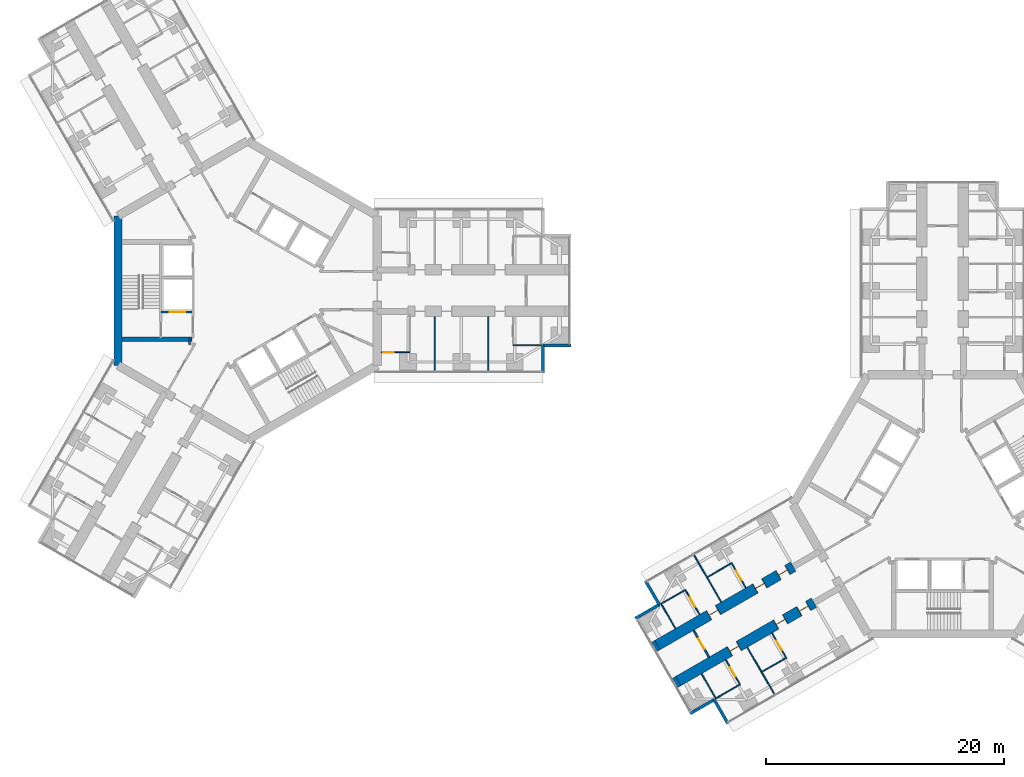
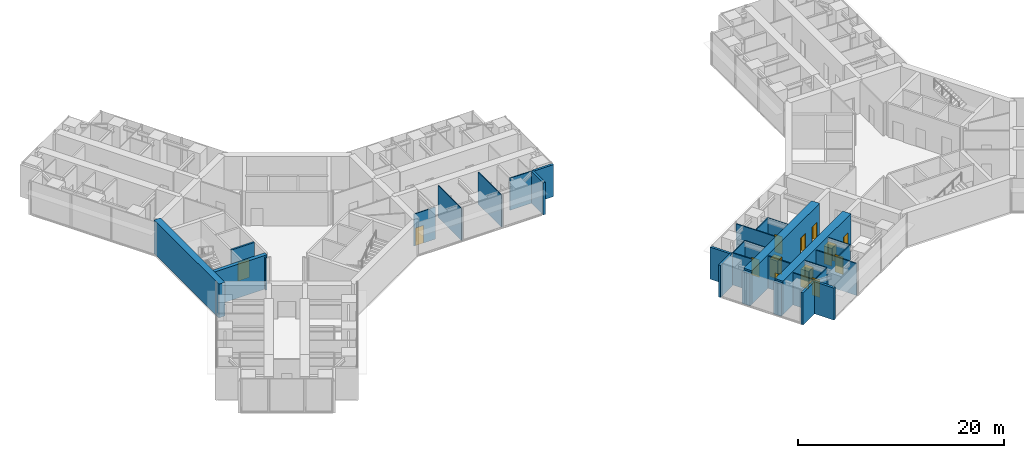
# One storey, part 17 of 25: 31 walls, 13 doors, 13 openings.
"""IFC4 building model written with IfcOpenShell, lengths in metres."""

from ifc_helpers import new_model, si_unit, direction, frame, frame_2d, origin, place, context, subcontext, project, spatial, rectangle, extrude, material, layer, layer_set, type_object, element, fill, save


model = new_model("IFC4")

# Units and contexts
model_context = context("Model", 3, precision=1e-05, world=origin(), true_north=direction((0.0, 1.0)))
body_context = subcontext(model_context, "Body", "Model", "MODEL_VIEW")
ifc_project = project(units=[si_unit("LENGTHUNIT", "METRE"), si_unit("AREAUNIT", "SQUARE_METRE"), si_unit("VOLUMEUNIT", "CUBIC_METRE"), si_unit("PLANEANGLEUNIT", "RADIAN"), si_unit("MASSUNIT", "GRAM", prefix="KILO")], contexts=[model_context])

# Site, building, storey
site_placement = place(None, origin())
site = spatial("IfcSite", under=ifc_project, at=site_placement, CompositionType="ELEMENT")
building_placement = place(site_placement, origin())
building = spatial("IfcBuilding", under=site, at=building_placement, Name="Upepo Twin Towers", CompositionType="ELEMENT")
storey_placement = place(building_placement, frame((0.0, 0.0, 80.5)))
storey = spatial("IfcBuildingStorey", under=building, at=storey_placement, Name="L19", CompositionType="ELEMENT", Elevation=80.5)

# Walls
ifc_material_1 = material(Name="Dense concrete blockwork", Category="masonry")
ifc_layer_1 = layer(ifc_material_1, 0.89990234375)
ifc_layer_set_1 = layer_set([ifc_layer_1], Name="Buttress closer 900, blockwork with fire-stopping to the curtain wall")
wall_type_1 = type_object("IfcWallType", Name="Buttress closer 900, blockwork with fire-stopping to the curtain wall", PredefinedType="PARTITIONING", material=ifc_layer_set_1)
for number, where, z_axis, x_axis, name in (
    (1, (36.252197265625, -32.865478515625, 0.0), (0.0, 0.0, 1.0), (-0.866054481515, -0.499949632511, 0.0), "T2 L19 wing B buttress closer L"),
    (2, (34.502197265625, -29.83447265625, 0.0), (0.0, 0.0, 1.0), (-0.866054481515, -0.499949632511, 0.0), "T2 L19 wing B buttress closer R"),
):
    element("IfcWall", number, at=place(storey_placement, frame(where, z_axis=z_axis, x_axis=x_axis)), inside=storey, type_object=wall_type_1, Name=name, PredefinedType="PARTITIONING", context=body_context, shape_type="SweptSolid", body=[
        extrude(rectangle(XDim=0.31005859375, YDim=0.89990234375, at=frame_2d((0.155029296875, 0.0))), origin(), (0.0, 0.0, 1.0), 3.800048828125),
    ])

# Wall, openings, doors
ifc_material_2 = material(Name="Concrete C60/75", Category="concrete")
ifc_layer_2 = layer(ifc_material_2, 0.89990234375)
ifc_layer_set_2 = layer_set([ifc_layer_2], Name="Concrete C60/75")
wall_type_2 = type_object("IfcWallType", Name="Buttress wall 900 RC", PredefinedType="SHEAR", material=ifc_layer_set_2)
wall_1_placement = place(storey_placement, frame((47.68359375, -26.265625, 0.0), z_axis=(0.0, 0.0, 1.0), x_axis=(-0.866027579429, -0.499996231654, 0.0)))
wall_1 = element("IfcWall", 3, at=wall_1_placement, inside=storey, type_object=wall_type_2, Name="T2 wing B buttress wall L part 2", PredefinedType="SHEAR", context=body_context, shape_type="SweptSolid", body=[
    extrude(rectangle(XDim=13.19970703125, YDim=0.89990234375, at=frame_2d((6.599853515625, 0.0))), origin(), (0.0, 0.0, 1.0), 4.0),
])
opening_1_placement = place(wall_1_placement, frame((0.550048828125, 0.0, 0.0)))
opening_1 = element("IfcOpeningElement", 4, at=opening_1_placement, cuts=wall_1, Name="Opening D14", PredefinedType="OPENING", context=body_context, shape_type="SweptSolid", body=[
    extrude(rectangle(XDim=0.89990234375, YDim=2.10009765625, at=frame_2d((0.449951171875, 1.050048828125))), frame((0.0, 0.4599609375, 0.0), z_axis=(0.0, -1.0, 0.0), x_axis=(1.0, 0.0, 0.0)), (0.0, 0.0, 1.0), 0.919921875),
])
opening_2_placement = place(wall_1_placement, frame((2.800048828125, 0.0, 0.0)))
opening_2 = element("IfcOpeningElement", 5, at=opening_2_placement, cuts=wall_1, Name="Opening D14", PredefinedType="OPENING", context=body_context, shape_type="SweptSolid", body=[
    extrude(rectangle(XDim=0.89990234375, YDim=2.10009765625, at=frame_2d((0.449951171875, 1.050048828125))), frame((0.0, 0.4599609375, 0.0), z_axis=(0.0, -1.0, 0.0), x_axis=(1.0, 0.0, 0.0)), (0.0, 0.0, 1.0), 0.919921875),
])
opening_3_placement = place(wall_1_placement, frame((7.300048828125, 0.0, 0.0)))
opening_3 = element("IfcOpeningElement", 6, at=opening_3_placement, cuts=wall_1, Name="Opening D14", PredefinedType="OPENING", context=body_context, shape_type="SweptSolid", body=[
    extrude(rectangle(XDim=0.89990234375, YDim=2.10009765625, at=frame_2d((0.449951171875, 1.050048828125))), frame((0.0, 0.4599609375, 0.0), z_axis=(0.0, -1.0, 0.0), x_axis=(1.0, 0.0, 0.0)), (0.0, 0.0, 1.0), 0.919921875),
])
ifc_material_3 = material(Name="Timber doorset", Category="wood")
door_type_1 = type_object("IfcDoorType", Name="Office door 900 FD30", OperationType="SINGLE_SWING_LEFT", PredefinedType="DOOR", material=ifc_material_3)
door_1_placement = place(opening_1_placement, origin())
door_1 = element("IfcDoor", 7, at=door_1_placement, inside=storey, type_object=door_type_1, Name="T2 L19 open-plan staff office door", OperationType="SINGLE_SWING_LEFT", OverallHeight=2.10009765625, OverallWidth=0.89990234375, PredefinedType="DOOR", context=body_context, shape_type="SweptSolid", body=[
    extrude(rectangle(XDim=0.81990234375, YDim=2.06009765625, at=frame_2d((0.449951171875, 1.030029296875))), frame((0.0, 0.02490234375, 0.0), z_axis=(0.0, -1.0, 0.0), x_axis=(1.0, 0.0, 0.0)), (0.0, 0.0, 1.0), 0.050048828125),
    extrude(rectangle(XDim=0.04, YDim=2.10009765625, at=frame_2d((0.02001953125, 1.050048828125))), frame((0.0, 0.44970703125, 0.0), z_axis=(0.0, -1.0, 0.0), x_axis=(1.0, 0.0, 0.0)), (0.0, 0.0, 1.0), 0.8994140625),
    extrude(rectangle(XDim=0.04, YDim=2.10009765625, at=frame_2d((0.8798828125, 1.050048828125))), frame((0.0, 0.44970703125, 0.0), z_axis=(0.0, -1.0, 0.0), x_axis=(1.0, 0.0, 0.0)), (0.0, 0.0, 1.0), 0.8994140625),
    extrude(rectangle(XDim=0.81990234375, YDim=0.04, at=frame_2d((0.449951171875, 2.080078125))), frame((0.0, 0.44970703125, 0.0), z_axis=(0.0, -1.0, 0.0), x_axis=(1.0, 0.0, 0.0)), (0.0, 0.0, 1.0), 0.8994140625),
])
fill(opening_1, door_1)
door_2_placement = place(opening_2_placement, origin())
door_2 = element("IfcDoor", 8, at=door_2_placement, inside=storey, type_object=door_type_1, Name="T2 L19 open-plan staff office door", OperationType="SINGLE_SWING_LEFT", OverallHeight=2.10009765625, OverallWidth=0.89990234375, PredefinedType="DOOR", context=body_context, shape_type="SweptSolid", body=[
    extrude(rectangle(XDim=0.81990234375, YDim=2.06009765625, at=frame_2d((0.449951171875, 1.030029296875))), frame((0.0, 0.02490234375, 0.0), z_axis=(0.0, -1.0, 0.0), x_axis=(1.0, 0.0, 0.0)), (0.0, 0.0, 1.0), 0.050048828125),
    extrude(rectangle(XDim=0.04, YDim=2.10009765625, at=frame_2d((0.02001953125, 1.050048828125))), frame((0.0, 0.44970703125, 0.0), z_axis=(0.0, -1.0, 0.0), x_axis=(1.0, 0.0, 0.0)), (0.0, 0.0, 1.0), 0.8994140625),
    extrude(rectangle(XDim=0.04, YDim=2.10009765625, at=frame_2d((0.8798828125, 1.050048828125))), frame((0.0, 0.44970703125, 0.0), z_axis=(0.0, -1.0, 0.0), x_axis=(1.0, 0.0, 0.0)), (0.0, 0.0, 1.0), 0.8994140625),
    extrude(rectangle(XDim=0.81990234375, YDim=0.04, at=frame_2d((0.449951171875, 2.080078125))), frame((0.0, 0.44970703125, 0.0), z_axis=(0.0, -1.0, 0.0), x_axis=(1.0, 0.0, 0.0)), (0.0, 0.0, 1.0), 0.8994140625),
])
fill(opening_2, door_2)
door_3_placement = place(opening_3_placement, origin())
door_3 = element("IfcDoor", 9, at=door_3_placement, inside=storey, type_object=door_type_1, Name="T2 L19 staff office door", OperationType="SINGLE_SWING_RIGHT", OverallHeight=2.10009765625, OverallWidth=0.89990234375, PredefinedType="DOOR", context=body_context, shape_type="SweptSolid", body=[
    extrude(rectangle(XDim=0.81990234375, YDim=2.06009765625, at=frame_2d((0.449951171875, 1.030029296875))), frame((0.0, 0.02490234375, 0.0), z_axis=(0.0, -1.0, 0.0), x_axis=(1.0, 0.0, 0.0)), (0.0, 0.0, 1.0), 0.050048828125),
    extrude(rectangle(XDim=0.04, YDim=2.10009765625, at=frame_2d((0.02001953125, 1.050048828125))), frame((0.0, 0.44970703125, 0.0), z_axis=(0.0, -1.0, 0.0), x_axis=(1.0, 0.0, 0.0)), (0.0, 0.0, 1.0), 0.8994140625),
    extrude(rectangle(XDim=0.04, YDim=2.10009765625, at=frame_2d((0.8798828125, 1.050048828125))), frame((0.0, 0.44970703125, 0.0), z_axis=(0.0, -1.0, 0.0), x_axis=(1.0, 0.0, 0.0)), (0.0, 0.0, 1.0), 0.8994140625),
    extrude(rectangle(XDim=0.81990234375, YDim=0.04, at=frame_2d((0.449951171875, 2.080078125))), frame((0.0, 0.44970703125, 0.0), z_axis=(0.0, -1.0, 0.0), x_axis=(1.0, 0.0, 0.0)), (0.0, 0.0, 1.0), 0.8994140625),
])
fill(opening_3, door_3)

wall_2_placement = place(storey_placement, frame((45.93359375, -23.234375, 0.0), z_axis=(0.0, 0.0, 1.0), x_axis=(-0.866019570528, -0.500010103361, 0.0)))
wall_2 = element("IfcWall", 10, at=wall_2_placement, inside=storey, type_object=wall_type_2, Name="T2 wing B buttress wall R part 2", PredefinedType="SHEAR", context=body_context, shape_type="SweptSolid", body=[
    extrude(rectangle(XDim=13.199951171875, YDim=0.89990234375, at=frame_2d((6.60009765625, 0.0))), origin(), (0.0, 0.0, 1.0), 4.0),
])
opening_4_placement = place(wall_2_placement, frame((0.550048828125, 0.0, 0.0)))
opening_4 = element("IfcOpeningElement", 11, at=opening_4_placement, cuts=wall_2, Name="Opening D14", PredefinedType="OPENING", context=body_context, shape_type="SweptSolid", body=[
    extrude(rectangle(XDim=0.89990234375, YDim=2.10009765625, at=frame_2d((0.449951171875, 1.050048828125))), frame((0.0, 0.4599609375, 0.0), z_axis=(0.0, -1.0, 0.0), x_axis=(1.0, 0.0, 0.0)), (0.0, 0.0, 1.0), 0.919921875),
])
opening_5_placement = place(wall_2_placement, frame((2.800048828125, 0.0, 0.0)))
opening_5 = element("IfcOpeningElement", 12, at=opening_5_placement, cuts=wall_2, Name="Opening D14", PredefinedType="OPENING", context=body_context, shape_type="SweptSolid", body=[
    extrude(rectangle(XDim=0.89990234375, YDim=2.10009765625, at=frame_2d((0.449951171875, 1.050048828125))), frame((0.0, 0.4599609375, 0.0), z_axis=(0.0, -1.0, 0.0), x_axis=(1.0, 0.0, 0.0)), (0.0, 0.0, 1.0), 0.919921875),
])
opening_6_placement = place(wall_2_placement, frame((7.300048828125, 0.0, 0.0)))
opening_6 = element("IfcOpeningElement", 13, at=opening_6_placement, cuts=wall_2, Name="Opening D14", PredefinedType="OPENING", context=body_context, shape_type="SweptSolid", body=[
    extrude(rectangle(XDim=0.89990234375, YDim=2.10009765625, at=frame_2d((0.449951171875, 1.050048828125))), frame((0.0, 0.4599609375, 0.0), z_axis=(0.0, -1.0, 0.0), x_axis=(1.0, 0.0, 0.0)), (0.0, 0.0, 1.0), 0.919921875),
])
door_4_placement = place(opening_4_placement, origin())
door_4 = element("IfcDoor", 14, at=door_4_placement, inside=storey, type_object=door_type_1, Name="T2 L19 open-plan staff office door", OperationType="SINGLE_SWING_LEFT", OverallHeight=2.10009765625, OverallWidth=0.89990234375, PredefinedType="DOOR", context=body_context, shape_type="SweptSolid", body=[
    extrude(rectangle(XDim=0.81990234375, YDim=2.06009765625, at=frame_2d((0.449951171875, 1.030029296875))), frame((0.0, 0.02490234375, 0.0), z_axis=(0.0, -1.0, 0.0), x_axis=(1.0, 0.0, 0.0)), (0.0, 0.0, 1.0), 0.050048828125),
    extrude(rectangle(XDim=0.04, YDim=2.10009765625, at=frame_2d((0.02001953125, 1.050048828125))), frame((0.0, 0.44970703125, 0.0), z_axis=(0.0, -1.0, 0.0), x_axis=(1.0, 0.0, 0.0)), (0.0, 0.0, 1.0), 0.8994140625),
    extrude(rectangle(XDim=0.04, YDim=2.10009765625, at=frame_2d((0.8798828125, 1.050048828125))), frame((0.0, 0.44970703125, 0.0), z_axis=(0.0, -1.0, 0.0), x_axis=(1.0, 0.0, 0.0)), (0.0, 0.0, 1.0), 0.8994140625),
    extrude(rectangle(XDim=0.81990234375, YDim=0.04, at=frame_2d((0.449951171875, 2.080078125))), frame((0.0, 0.44970703125, 0.0), z_axis=(0.0, -1.0, 0.0), x_axis=(1.0, 0.0, 0.0)), (0.0, 0.0, 1.0), 0.8994140625),
])
fill(opening_4, door_4)
door_5_placement = place(opening_5_placement, origin())
door_5 = element("IfcDoor", 15, at=door_5_placement, inside=storey, type_object=door_type_1, Name="T2 L19 open-plan staff office door", OperationType="SINGLE_SWING_LEFT", OverallHeight=2.10009765625, OverallWidth=0.89990234375, PredefinedType="DOOR", context=body_context, shape_type="SweptSolid", body=[
    extrude(rectangle(XDim=0.81990234375, YDim=2.06009765625, at=frame_2d((0.449951171875, 1.030029296875))), frame((0.0, 0.02490234375, 0.0), z_axis=(0.0, -1.0, 0.0), x_axis=(1.0, 0.0, 0.0)), (0.0, 0.0, 1.0), 0.050048828125),
    extrude(rectangle(XDim=0.04, YDim=2.10009765625, at=frame_2d((0.02001953125, 1.050048828125))), frame((0.0, 0.44970703125, 0.0), z_axis=(0.0, -1.0, 0.0), x_axis=(1.0, 0.0, 0.0)), (0.0, 0.0, 1.0), 0.8994140625),
    extrude(rectangle(XDim=0.04, YDim=2.10009765625, at=frame_2d((0.8798828125, 1.050048828125))), frame((0.0, 0.44970703125, 0.0), z_axis=(0.0, -1.0, 0.0), x_axis=(1.0, 0.0, 0.0)), (0.0, 0.0, 1.0), 0.8994140625),
    extrude(rectangle(XDim=0.81990234375, YDim=0.04, at=frame_2d((0.449951171875, 2.080078125))), frame((0.0, 0.44970703125, 0.0), z_axis=(0.0, -1.0, 0.0), x_axis=(1.0, 0.0, 0.0)), (0.0, 0.0, 1.0), 0.8994140625),
])
fill(opening_5, door_5)
door_6_placement = place(opening_6_placement, origin())
door_6 = element("IfcDoor", 16, at=door_6_placement, inside=storey, type_object=door_type_1, Name="T2 L19 meeting room door", OperationType="SINGLE_SWING_RIGHT", OverallHeight=2.10009765625, OverallWidth=0.89990234375, PredefinedType="DOOR", context=body_context, shape_type="SweptSolid", body=[
    extrude(rectangle(XDim=0.81990234375, YDim=2.06009765625, at=frame_2d((0.449951171875, 1.030029296875))), frame((0.0, 0.02490234375, 0.0), z_axis=(0.0, -1.0, 0.0), x_axis=(1.0, 0.0, 0.0)), (0.0, 0.0, 1.0), 0.050048828125),
    extrude(rectangle(XDim=0.04, YDim=2.10009765625, at=frame_2d((0.02001953125, 1.050048828125))), frame((0.0, 0.44970703125, 0.0), z_axis=(0.0, -1.0, 0.0), x_axis=(1.0, 0.0, 0.0)), (0.0, 0.0, 1.0), 0.8994140625),
    extrude(rectangle(XDim=0.04, YDim=2.10009765625, at=frame_2d((0.8798828125, 1.050048828125))), frame((0.0, 0.44970703125, 0.0), z_axis=(0.0, -1.0, 0.0), x_axis=(1.0, 0.0, 0.0)), (0.0, 0.0, 1.0), 0.8994140625),
    extrude(rectangle(XDim=0.81990234375, YDim=0.04, at=frame_2d((0.449951171875, 2.080078125))), frame((0.0, 0.44970703125, 0.0), z_axis=(0.0, -1.0, 0.0), x_axis=(1.0, 0.0, 0.0)), (0.0, 0.0, 1.0), 0.8994140625),
])
fill(opening_6, door_6)

# Walls
ifc_material_4 = material(Name="Concrete C60/75", Category="concrete")
ifc_layer_3 = layer(ifc_material_4, 0.699951171875)
ifc_layer_set_3 = layer_set([ifc_layer_3], Name="Concrete C60/75")
wall_type_3 = type_object("IfcWallType", Name="Core wall 700 RC", PredefinedType="SHEAR", material=ifc_layer_set_3)
wall_3_placement = place(storey_placement, frame((-10.908447265625, 6.2978515625, 0.0), z_axis=(0.0, 0.0, 1.0), x_axis=(0.0, -1.0, 0.0)))
element("IfcWall", 17, at=wall_3_placement, inside=storey, type_object=wall_type_3, Name="T1 core wall 180", PredefinedType="SHEAR", context=body_context, shape_type="SweptSolid", body=[
    extrude(rectangle(XDim=12.595703125, YDim=0.699951171875, at=frame_2d((6.2978515625, 0.0))), origin(), (0.0, 0.0, 1.0), 4.0),
])
ifc_material_5 = material(Name="Blockwork with anodised aluminium cladding", Category="masonry")
ifc_layer_4 = layer(ifc_material_5, 0.25)
ifc_layer_set_4 = layer_set([ifc_layer_4], Name="Notch cladding wall 250, pale metal")
wall_type_4 = type_object("IfcWallType", Name="Notch cladding wall 250, pale metal", PredefinedType="STANDARD", material=ifc_layer_set_4)
for number, where, z_axis, x_axis, name in (
    (18, (24.875, -6.949951171875, 0.0), (0.0, 0.0, 1.0), (0.0, 1.0, 0.0), "T1 L19 wing A notch wall R1"),
    (19, (24.875, -4.625, 0.0), (0.0, 0.0, 1.0), (1.0, 0.0, 0.0), "T1 L19 wing A notch wall R2"),
    (20, (40.4326171875, -36.456298828125, 0.0), (0.0, 0.0, 1.0), (-0.500046648681, 0.865998469481, 0.0), "T2 L19 wing B notch wall L1"),
    (21, (39.27001953125, -34.44287109375, 0.0), (0.0, 0.0, 1.0), (-0.865998469481, -0.500046648681, 0.0), "T2 L19 wing B notch wall L2"),
    (22, (33.482666015625, -24.418701171875, 0.0), (0.0, 0.0, 1.0), (0.499967891604, -0.866043940782, 0.0), "T2 L19 wing B notch wall R1"),
    (23, (34.64501953125, -26.43212890625, 0.0), (0.0, 0.0, 1.0), (-0.865998469481, -0.500046648681, 0.0), "T2 L19 wing B notch wall R2"),
):
    element("IfcWall", number, at=place(storey_placement, frame(where, z_axis=z_axis, x_axis=x_axis)), inside=storey, type_object=wall_type_4, Name=name, PredefinedType="STANDARD", context=body_context, shape_type="SweptSolid", body=[
        extrude(rectangle(XDim=2.324951171875, YDim=0.25, at=frame_2d((1.16259765625, 0.0))), origin(), (0.0, 0.0, 1.0), 3.800048828125),
    ])
ifc_material_6 = material(Name="Gypsum board on steel studs", Category="steel")
ifc_layer_5 = layer(ifc_material_6, 0.10009765625)
ifc_layer_set_5 = layer_set([ifc_layer_5], Name="Office partition 100 stud")
wall_type_5 = type_object("IfcWallType", Name="Office partition 100 stud", PredefinedType="PARTITIONING", material=ifc_layer_set_5)
for number, where, z_axis, x_axis, name in (
    (24, (15.75, -2.199951171875, 0.0), (0.0, 0.0, 1.0), (0.0, -1.0, 0.0), "T1 partition AR at 15.75"),
    (25, (20.25, -2.199951171875, 0.0), (0.0, 0.0, 1.0), (0.0, -1.0, 0.0), "T1 partition AR at 20.25"),
):
    element("IfcWall", number, at=place(storey_placement, frame(where, z_axis=z_axis, x_axis=x_axis)), inside=storey, type_object=wall_type_5, Name=name, PredefinedType="PARTITIONING", context=body_context, shape_type="SweptSolid", body=[
        extrude(rectangle(XDim=4.550048828125, YDim=0.10009765625, at=frame_2d((2.27490234375, 0.0))), origin(), (0.0, 0.0, 1.0), 3.800048828125),
    ])
wall_4_placement = place(storey_placement, frame((22.35009765625, -4.60009765625, 0.0), z_axis=(0.0, 0.0, 1.0), x_axis=(1.0, 0.0, 0.0)))
element("IfcWall", 26, at=wall_4_placement, inside=storey, type_object=wall_type_5, Name="T1 inner room partition AR at 22.35", PredefinedType="PARTITIONING", context=body_context, shape_type="SweptSolid", body=[
    extrude(rectangle(XDim=2.39990234375, YDim=0.10009765625, at=frame_2d((1.199951171875, 0.0))), origin(), (0.0, 0.0, 1.0), 3.800048828125),
])

# Wall, opening, door
wall_5_placement = place(storey_placement, frame((11.258056640625, -5.199951171875, 0.0), z_axis=(0.0, 0.0, 1.0), x_axis=(1.0, 0.0, 0.0)))
wall_5 = element("IfcWall", 27, at=wall_5_placement, inside=storey, type_object=wall_type_5, Name="T1 WC bay partition AR at 11.26", PredefinedType="PARTITIONING", context=body_context, shape_type="SweptSolid", body=[
    extrude(rectangle(XDim=2.39990234375, YDim=0.10009765625, at=frame_2d((1.199951171875, 0.0))), origin(), (0.0, 0.0, 1.0), 3.800048828125),
])
opening_7_placement = place(wall_5_placement, frame((0.14990234375, 0.0, 0.0)))
opening_7 = element("IfcOpeningElement", 28, at=opening_7_placement, cuts=wall_5, Name="Opening D14", PredefinedType="OPENING", context=body_context, shape_type="SweptSolid", body=[
    extrude(rectangle(XDim=0.89990234375, YDim=2.10009765625, at=frame_2d((0.449951171875, 1.050048828125))), frame((0.0, 0.06005859375, 0.0), z_axis=(0.0, -1.0, 0.0), x_axis=(1.0, 0.0, 0.0)), (0.0, 0.0, 1.0), 0.1201171875),
])
door_7_placement = place(opening_7_placement, origin())
door_7 = element("IfcDoor", 29, at=door_7_placement, inside=storey, type_object=door_type_1, Name="T1 L19 WC bay inner room door", OperationType="SINGLE_SWING_LEFT", OverallHeight=2.10009765625, OverallWidth=0.89990234375, PredefinedType="DOOR", context=body_context, shape_type="SweptSolid", body=[
    extrude(rectangle(XDim=0.89990234375, YDim=2.10009765625, at=frame_2d((0.449951171875, 1.050048828125))), frame((0.0, 0.02490234375, 0.0), z_axis=(0.0, -1.0, 0.0), x_axis=(1.0, 0.0, 0.0)), (0.0, 0.0, 1.0), 0.050048828125),
])
fill(opening_7, door_7)

# Walls
wall_6_placement = place(storey_placement, frame((42.06298828125, -30.0302734375, 0.0), z_axis=(0.0, 0.0, 1.0), x_axis=(0.499982560684, -0.866035472144, 0.0)))
element("IfcWall", 30, at=wall_6_placement, inside=storey, type_object=wall_type_5, Name="T2 partition BL at 20.25", PredefinedType="PARTITIONING", context=body_context, shape_type="SweptSolid", body=[
    extrude(rectangle(XDim=4.550048828125, YDim=0.10009765625, at=frame_2d((2.27490234375, 0.0))), origin(), (0.0, 0.0, 1.0), 3.800048828125),
])
wall_7_placement = place(storey_placement, frame((45.341552734375, -30.90869140625, 0.0), z_axis=(0.0, 0.0, 1.0), x_axis=(-0.866050077142, -0.499957262057, 0.0)))
element("IfcWall", 31, at=wall_7_placement, inside=storey, type_object=wall_type_5, Name="T2 inner room partition BL at 17.85", PredefinedType="PARTITIONING", context=body_context, shape_type="SweptSolid", body=[
    extrude(rectangle(XDim=2.400146484375, YDim=0.10009765625, at=frame_2d((1.2001953125, 0.0))), origin(), (0.0, 0.0, 1.0), 3.800048828125),
])

# Wall, opening, door
wall_8_placement = place(storey_placement, frame((44.141357421875, -28.830322265625, 0.0), z_axis=(0.0, 0.0, 1.0), x_axis=(0.500077600433, -0.865980596518, 0.0)))
wall_8 = element("IfcWall", 32, at=wall_8_placement, inside=storey, type_object=wall_type_5, Name="T2 inner room partition BL end at 17.85", PredefinedType="PARTITIONING", context=body_context, shape_type="SweptSolid", body=[
    extrude(rectangle(XDim=2.39990234375, YDim=0.10009765625, at=frame_2d((1.199951171875, 0.0))), origin(), (0.0, 0.0, 1.0), 3.800048828125),
])
opening_8_placement = place(wall_8_placement, frame((0.75, 0.0, 0.0)))
opening_8 = element("IfcOpeningElement", 33, at=opening_8_placement, cuts=wall_8, Name="Opening D14", PredefinedType="OPENING", context=body_context, shape_type="SweptSolid", body=[
    extrude(rectangle(XDim=0.89990234375, YDim=2.10009765625, at=frame_2d((0.449951171875, 1.050048828125))), frame((0.0, 0.06005859375, 0.0), z_axis=(0.0, -1.0, 0.0), x_axis=(1.0, 0.0, 0.0)), (0.0, 0.0, 1.0), 0.1201171875),
])
door_8_placement = place(opening_8_placement, origin())
door_8 = element("IfcDoor", 34, at=door_8_placement, inside=storey, type_object=door_type_1, Name="T2 L19 inner room door", OperationType="SINGLE_SWING_LEFT", OverallHeight=2.10009765625, OverallWidth=0.89990234375, PredefinedType="DOOR", context=body_context, shape_type="SweptSolid", body=[
    extrude(rectangle(XDim=0.89990234375, YDim=2.10009765625, at=frame_2d((0.449951171875, 1.050048828125))), frame((0.0, 0.02490234375, 0.0), z_axis=(0.0, -1.0, 0.0), x_axis=(1.0, 0.0, 0.0)), (0.0, 0.0, 1.0), 0.050048828125),
])
fill(opening_8, door_8)

# Wall
wall_9_placement = place(storey_placement, frame((41.4443359375, -33.15869140625, 0.0), z_axis=(0.0, 0.0, 1.0), x_axis=(-0.866024647952, -0.500001309137, 0.0)))
element("IfcWall", 35, at=wall_9_placement, inside=storey, type_object=wall_type_5, Name="T2 inner room partition BL at 22.35", PredefinedType="PARTITIONING", context=body_context, shape_type="SweptSolid", body=[
    extrude(rectangle(XDim=2.39990234375, YDim=0.10009765625, at=frame_2d((1.199951171875, 0.0))), origin(), (0.0, 0.0, 1.0), 3.800048828125),
])

# Wall, opening, door
wall_10_placement = place(storey_placement, frame((40.244384765625, -31.080322265625, 0.0), z_axis=(0.0, 0.0, 1.0), x_axis=(0.500001309137, -0.866024647952, 0.0)))
wall_10 = element("IfcWall", 36, at=wall_10_placement, inside=storey, type_object=wall_type_5, Name="T2 inner room partition BL end at 22.35", PredefinedType="PARTITIONING", context=body_context, shape_type="SweptSolid", body=[
    extrude(rectangle(XDim=2.39990234375, YDim=0.10009765625, at=frame_2d((1.199951171875, 0.0))), origin(), (0.0, 0.0, 1.0), 3.800048828125),
])
opening_9_placement = place(wall_10_placement, frame((0.75, 0.0, 0.0)))
opening_9 = element("IfcOpeningElement", 37, at=opening_9_placement, cuts=wall_10, Name="Opening D14", PredefinedType="OPENING", context=body_context, shape_type="SweptSolid", body=[
    extrude(rectangle(XDim=0.89990234375, YDim=2.10009765625, at=frame_2d((0.449951171875, 1.050048828125))), frame((0.0, 0.06005859375, 0.0), z_axis=(0.0, -1.0, 0.0), x_axis=(1.0, 0.0, 0.0)), (0.0, 0.0, 1.0), 0.1201171875),
])
door_9_placement = place(opening_9_placement, origin())
door_9 = element("IfcDoor", 38, at=door_9_placement, inside=storey, type_object=door_type_1, Name="T2 L19 inner room door", OperationType="SINGLE_SWING_LEFT", OverallHeight=2.10009765625, OverallWidth=0.89990234375, PredefinedType="DOOR", context=body_context, shape_type="SweptSolid", body=[
    extrude(rectangle(XDim=0.89990234375, YDim=2.10009765625, at=frame_2d((0.449951171875, 1.050048828125))), frame((0.0, 0.02490234375, 0.0), z_axis=(0.0, -1.0, 0.0), x_axis=(1.0, 0.0, 0.0)), (0.0, 0.0, 1.0), 0.050048828125),
])
fill(opening_9, door_9)

# Walls
wall_11_placement = place(storey_placement, frame((38.209228515625, -32.25537109375, 0.0), z_axis=(0.0, 0.0, 1.0), x_axis=(0.500001309137, -0.866024647952, 0.0)))
element("IfcWall", 39, at=wall_11_placement, inside=storey, type_object=wall_type_5, Name="T2 inner room partition BL end at 24.75", PredefinedType="PARTITIONING", context=body_context, shape_type="SweptSolid", body=[
    extrude(rectangle(XDim=2.39990234375, YDim=0.10009765625, at=frame_2d((1.199951171875, 0.0))), origin(), (0.0, 0.0, 1.0), 3.800048828125),
])
wall_12_placement = place(storey_placement, frame((39.863037109375, -26.2197265625, 0.0), z_axis=(0.0, 0.0, 1.0), x_axis=(-0.500022803284, 0.866012237902, 0.0)))
element("IfcWall", 40, at=wall_12_placement, inside=storey, type_object=wall_type_5, Name="T2 partition BR at 20.25", PredefinedType="PARTITIONING", context=body_context, shape_type="SweptSolid", body=[
    extrude(rectangle(XDim=4.550048828125, YDim=0.10009765625, at=frame_2d((2.27490234375, 0.0))), origin(), (0.0, 0.0, 1.0), 3.800048828125),
])
wall_13_placement = place(storey_placement, frame((40.741455078125, -22.941162109375, 0.0), z_axis=(0.0, 0.0, 1.0), x_axis=(-0.865980596518, -0.500077600433, 0.0)))
element("IfcWall", 41, at=wall_13_placement, inside=storey, type_object=wall_type_5, Name="T2 inner room partition BR at 17.85", PredefinedType="PARTITIONING", context=body_context, shape_type="SweptSolid", body=[
    extrude(rectangle(XDim=2.39990234375, YDim=0.10009765625, at=frame_2d((1.199951171875, 0.0))), origin(), (0.0, 0.0, 1.0), 3.800048828125),
])

# Wall, opening, door
wall_14_placement = place(storey_placement, frame((41.94140625, -25.019775390625, 0.0), z_axis=(0.0, 0.0, 1.0), x_axis=(-0.499957262057, 0.866050077142, 0.0)))
wall_14 = element("IfcWall", 42, at=wall_14_placement, inside=storey, type_object=wall_type_5, Name="T2 inner room partition BR end at 17.85", PredefinedType="PARTITIONING", context=body_context, shape_type="SweptSolid", body=[
    extrude(rectangle(XDim=2.400146484375, YDim=0.10009765625, at=frame_2d((1.2001953125, 0.0))), origin(), (0.0, 0.0, 1.0), 3.800048828125),
])
opening_10_placement = place(wall_14_placement, frame((0.75, 0.0, 0.0)))
opening_10 = element("IfcOpeningElement", 43, at=opening_10_placement, cuts=wall_14, Name="Opening D14", PredefinedType="OPENING", context=body_context, shape_type="SweptSolid", body=[
    extrude(rectangle(XDim=0.89990234375, YDim=2.10009765625, at=frame_2d((0.449951171875, 1.050048828125))), frame((0.0, 0.06005859375, 0.0), z_axis=(0.0, -1.0, 0.0), x_axis=(1.0, 0.0, 0.0)), (0.0, 0.0, 1.0), 0.1201171875),
])
door_10_placement = place(opening_10_placement, origin())
door_10 = element("IfcDoor", 44, at=door_10_placement, inside=storey, type_object=door_type_1, Name="T2 L19 inner room door", OperationType="SINGLE_SWING_LEFT", OverallHeight=2.10009765625, OverallWidth=0.89990234375, PredefinedType="DOOR", context=body_context, shape_type="SweptSolid", body=[
    extrude(rectangle(XDim=0.89990234375, YDim=2.10009765625, at=frame_2d((0.449951171875, 1.050048828125))), frame((0.0, 0.02490234375, 0.0), z_axis=(0.0, -1.0, 0.0), x_axis=(1.0, 0.0, 0.0)), (0.0, 0.0, 1.0), 0.050048828125),
])
fill(opening_10, door_10)

# Wall
wall_15_placement = place(storey_placement, frame((36.84423828125, -25.191162109375, 0.0), z_axis=(0.0, 0.0, 1.0), x_axis=(-0.865980596518, -0.500077600433, 0.0)))
element("IfcWall", 45, at=wall_15_placement, inside=storey, type_object=wall_type_5, Name="T2 inner room partition BR at 22.35", PredefinedType="PARTITIONING", context=body_context, shape_type="SweptSolid", body=[
    extrude(rectangle(XDim=2.39990234375, YDim=0.10009765625, at=frame_2d((1.199951171875, 0.0))), origin(), (0.0, 0.0, 1.0), 3.800048828125),
])

# Wall, opening, door
wall_16_placement = place(storey_placement, frame((38.04443359375, -27.269775390625, 0.0), z_axis=(0.0, 0.0, 1.0), x_axis=(-0.500033551112, 0.866006032174, 0.0)))
wall_16 = element("IfcWall", 46, at=wall_16_placement, inside=storey, type_object=wall_type_5, Name="T2 inner room partition BR end at 22.35", PredefinedType="PARTITIONING", context=body_context, shape_type="SweptSolid", body=[
    extrude(rectangle(XDim=2.400146484375, YDim=0.10009765625, at=frame_2d((1.2001953125, 0.0))), origin(), (0.0, 0.0, 1.0), 3.800048828125),
])
opening_11_placement = place(wall_16_placement, frame((0.75, 0.0, 0.0)))
opening_11 = element("IfcOpeningElement", 47, at=opening_11_placement, cuts=wall_16, Name="Opening D14", PredefinedType="OPENING", context=body_context, shape_type="SweptSolid", body=[
    extrude(rectangle(XDim=0.89990234375, YDim=2.10009765625, at=frame_2d((0.449951171875, 1.050048828125))), frame((0.0, 0.06005859375, 0.0), z_axis=(0.0, -1.0, 0.0), x_axis=(1.0, 0.0, 0.0)), (0.0, 0.0, 1.0), 0.1201171875),
])
door_11_placement = place(opening_11_placement, origin())
door_11 = element("IfcDoor", 48, at=door_11_placement, inside=storey, type_object=door_type_1, Name="T2 L19 inner room door", OperationType="SINGLE_SWING_LEFT", OverallHeight=2.10009765625, OverallWidth=0.89990234375, PredefinedType="DOOR", context=body_context, shape_type="SweptSolid", body=[
    extrude(rectangle(XDim=0.89990234375, YDim=2.10009765625, at=frame_2d((0.449951171875, 1.050048828125))), frame((0.0, 0.02490234375, 0.0), z_axis=(0.0, -1.0, 0.0), x_axis=(1.0, 0.0, 0.0)), (0.0, 0.0, 1.0), 0.050048828125),
])
fill(opening_11, door_11)

# Wall
wall_17_placement = place(storey_placement, frame((36.00927734375, -28.44482421875, 0.0), z_axis=(0.0, 0.0, 1.0), x_axis=(-0.500033551112, 0.866006032174, 0.0)))
element("IfcWall", 49, at=wall_17_placement, inside=storey, type_object=wall_type_5, Name="T2 inner room partition BR end at 24.75", PredefinedType="PARTITIONING", context=body_context, shape_type="SweptSolid", body=[
    extrude(rectangle(XDim=2.400146484375, YDim=0.10009765625, at=frame_2d((1.2001953125, 0.0))), origin(), (0.0, 0.0, 1.0), 3.800048828125),
])

# Wall, opening, door
ifc_material_7 = material(Name="Concrete C40/50", Category="concrete")
ifc_layer_6 = layer(ifc_material_7, 0.199951171875)
ifc_layer_set_6 = layer_set([ifc_layer_6], Name="Concrete C40/50")
wall_type_6 = type_object("IfcWallType", Name="Shaft wall 200 RC", PredefinedType="SHEAR", material=ifc_layer_set_6)
wall_18_placement = place(storey_placement, frame((-4.699951171875, -1.800048828125, 0.0), z_axis=(0.0, 0.0, 1.0), x_axis=(-1.0, 0.0, 0.0)))
wall_18 = element("IfcWall", 50, at=wall_18_placement, inside=storey, type_object=wall_type_6, Name="T1 core W180 lobby wall", PredefinedType="SHEAR", context=body_context, shape_type="SweptSolid", body=[
    extrude(rectangle(XDim=2.60009765625, YDim=0.199951171875, at=frame_2d((1.300048828125, 0.0))), origin(), (0.0, 0.0, 1.0), 4.0),
])
opening_12_placement = place(wall_18_placement, frame((0.550048828125, 0.0, 0.0)))
opening_12 = element("IfcOpeningElement", 51, at=opening_12_placement, cuts=wall_18, Name="Opening LD2", PredefinedType="OPENING", context=body_context, shape_type="SweptSolid", body=[
    extrude(rectangle(XDim=1.300048828125, YDim=2.199951171875, at=frame_2d((0.64990234375, 1.10009765625))), frame((0.0, 0.10986328125, 0.0), z_axis=(0.0, -1.0, 0.0), x_axis=(1.0, 0.0, 0.0)), (0.0, 0.0, 1.0), 0.219970703125),
])
ifc_material_8 = material(Name="Steel doorset", Category="steel")
door_type_2 = type_object("IfcDoorType", Name="Firefighting lift landing door 1300", OperationType="DOUBLE_DOOR_SLIDING", PredefinedType="DOOR", material=ifc_material_8)
door_12_placement = place(opening_12_placement, origin())
door_12 = element("IfcDoor", 52, at=door_12_placement, inside=storey, type_object=door_type_2, Name="T1 L19 firefighting lift landing door", OperationType="DOUBLE_DOOR_SLIDING", OverallHeight=2.199951171875, OverallWidth=1.300048828125, PredefinedType="DOOR", context=body_context, shape_type="SweptSolid", body=[
    extrude(rectangle(XDim=1.300048828125, YDim=2.199951171875, at=frame_2d((0.64990234375, 1.10009765625))), frame((0.0, 0.02490234375, 0.0), z_axis=(0.0, -1.0, 0.0), x_axis=(1.0, 0.0, 0.0)), (0.0, 0.0, 1.0), 0.050048828125),
])
fill(opening_12, door_12)

# Walls
ifc_material_9 = material(Name="Concrete C40/50", Category="concrete")
ifc_layer_7 = layer(ifc_material_9, 0.39990234375)
ifc_layer_set_7 = layer_set([ifc_layer_7], Name="Concrete C40/50")
wall_type_7 = type_object("IfcWallType", Name="Shaft wall 400 RC", PredefinedType="SHEAR", material=ifc_layer_set_7)
wall_19_placement = place(storey_placement, frame((-4.699951171875, -4.10009765625, 0.0), z_axis=(0.0, 0.0, 1.0), x_axis=(-1.0, 0.0, 0.0)))
element("IfcWall", 53, at=wall_19_placement, inside=storey, type_object=wall_type_7, Name="T1 core W180 side wall N", PredefinedType="SHEAR", context=body_context, shape_type="SweptSolid", body=[
    extrude(rectangle(XDim=5.8583984375, YDim=0.39990234375, at=frame_2d((2.92919921875, 0.0))), origin(), (0.0, 0.0, 1.0), 4.0),
])
ifc_material_10 = material(Name="Gypsum board on steel studs", Category="steel")
ifc_layer_8 = layer(ifc_material_10, 0.14990234375)
ifc_layer_set_8 = layer_set([ifc_layer_8], Name="Teaching partition 150 acoustic")
wall_type_8 = type_object("IfcWallType", Name="Teaching partition 150 acoustic", PredefinedType="PARTITIONING", material=ifc_layer_set_8)
wall_20_placement = place(storey_placement, frame((-4.89990234375, -4.52001953125, 0.0), z_axis=(0.0, 0.0, 1.0), x_axis=(0.0, 1.0, 0.0)))
element("IfcWall", 54, at=wall_20_placement, inside=storey, type_object=wall_type_8, Name="T1 core room partition 7", PredefinedType="PARTITIONING", context=body_context, shape_type="SweptSolid", body=[
    extrude(rectangle(XDim=0.429931640625, YDim=0.14990234375, at=frame_2d((0.21484375, 0.0))), origin(), (0.0, 0.0, 1.0), 3.800048828125),
])

# Wall, opening, door
wall_21_placement = place(storey_placement, frame((37.541748046875, -28.59912109375, 0.0), z_axis=(0.0, 0.0, 1.0), x_axis=(0.500006934395, -0.866021400173, 0.0)))
wall_21 = element("IfcWall", 55, at=wall_21_placement, inside=storey, type_object=wall_type_8, Name="T2 corridor end partition B at 23.45", PredefinedType="PARTITIONING", context=body_context, shape_type="SweptSolid", body=[
    extrude(rectangle(XDim=2.60009765625, YDim=0.14990234375, at=frame_2d((1.300048828125, 0.0))), origin(), (0.0, 0.0, 1.0), 3.800048828125),
])
opening_13_placement = place(wall_21_placement, frame((0.800048828125, 0.0, 0.0)))
opening_13 = element("IfcOpeningElement", 56, at=opening_13_placement, cuts=wall_21, Name="Opening D1", PredefinedType="OPENING", context=body_context, shape_type="SweptSolid", body=[
    extrude(rectangle(XDim=1.0, YDim=2.10009765625, at=frame_2d((0.5, 1.050048828125))), frame((0.0, 0.0849609375, 0.0), z_axis=(0.0, -1.0, 0.0), x_axis=(1.0, 0.0, 0.0)), (0.0, 0.0, 1.0), 0.169921875),
])
ifc_material_11 = material(Name="Timber doorset", Category="wood")
door_type_3 = type_object("IfcDoorType", Name="Room door 1000 FD30", OperationType="SINGLE_SWING_LEFT", PredefinedType="DOOR", material=ifc_material_11)
door_13_placement = place(opening_13_placement, origin())
door_13 = element("IfcDoor", 57, at=door_13_placement, inside=storey, type_object=door_type_3, Name="T2 L19 breakout study room door", OperationType="SINGLE_SWING_RIGHT", OverallHeight=2.10009765625, OverallWidth=1.0, PredefinedType="DOOR", context=body_context, shape_type="SweptSolid", body=[
    extrude(rectangle(XDim=1.0, YDim=2.10009765625, at=frame_2d((0.5, 1.050048828125))), frame((0.0, 0.02490234375, 0.0), z_axis=(0.0, -1.0, 0.0), x_axis=(1.0, 0.0, 0.0)), (0.0, 0.0, 1.0), 0.050048828125),
])
fill(opening_13, door_13)

save(model, "model.ifc")
